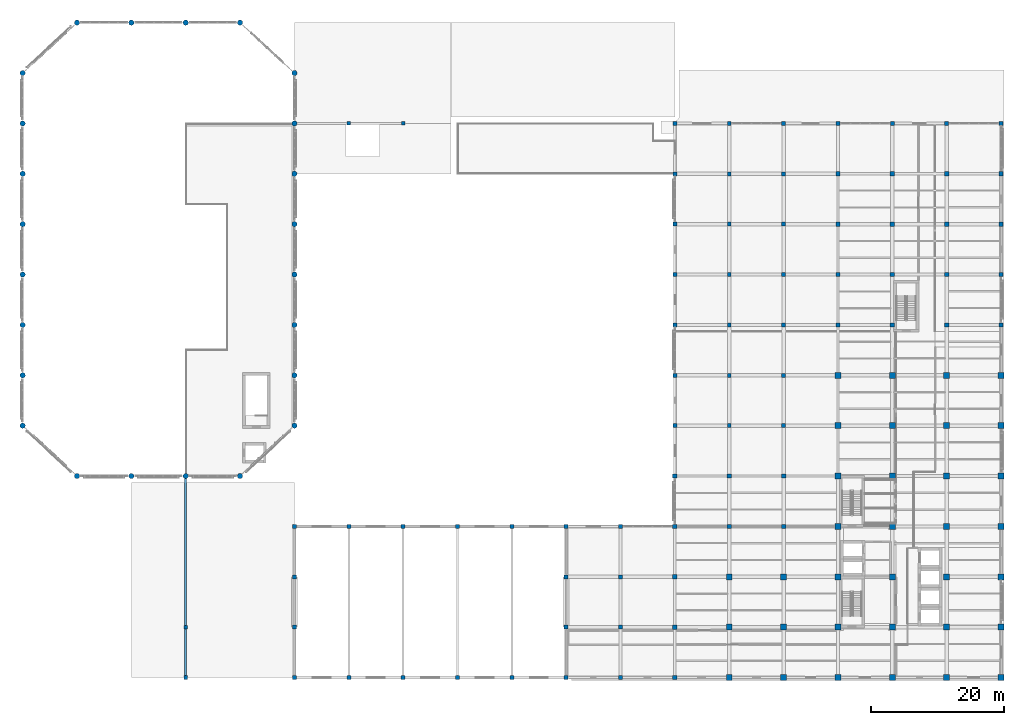
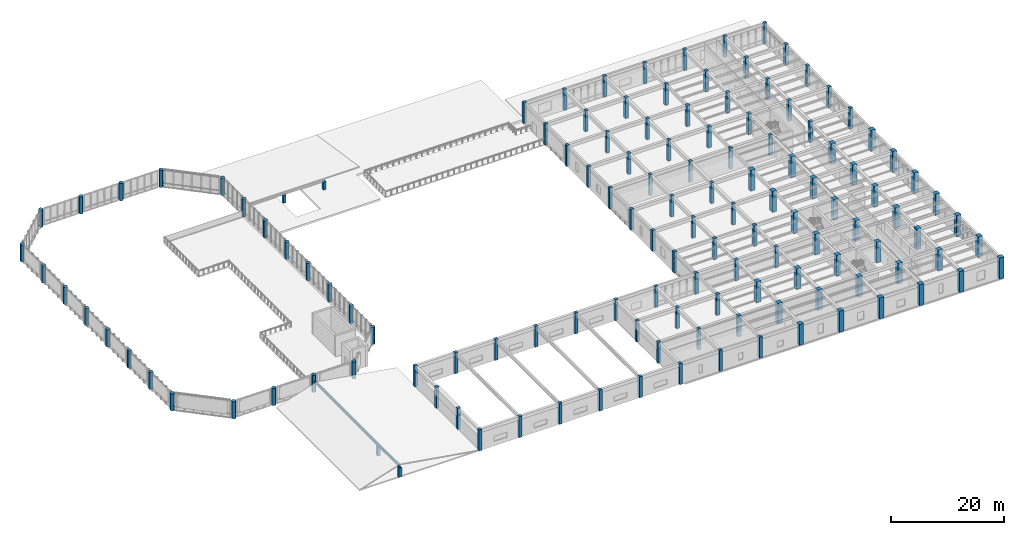
# One storey, part 1 of 49: 132 columns, 1 beam.
"""IFC4 building model written with IfcOpenShell, lengths in metres."""

from ifc_helpers import new_model, si_unit, direction, frame, origin, origin_2d, place, context, subcontext, project, spatial, rectangle, circle, i_section, extrude, material, material_profile, profile_set, type_object, element, save


model = new_model("IFC4")

# Units and contexts
model_context = context("Model", 3, precision=1e-05, world=origin(), true_north=direction((0.0, 1.0)))
body_context = subcontext(model_context, "Body", "Model", "MODEL_VIEW")
ifc_project = project(units=[si_unit("LENGTHUNIT", "METRE"), si_unit("AREAUNIT", "SQUARE_METRE"), si_unit("VOLUMEUNIT", "CUBIC_METRE"), si_unit("PLANEANGLEUNIT", "RADIAN"), si_unit("MASSUNIT", "GRAM", prefix="KILO")], contexts=[model_context])

# Site, building, storey
site_placement = place(None, origin())
site = spatial("IfcSite", under=ifc_project, at=site_placement, CompositionType="ELEMENT")
building_placement = place(site_placement, origin())
building = spatial("IfcBuilding", under=site, at=building_placement, Name="Qandaris Square Conservatory and Botanical Centre", CompositionType="ELEMENT")
storey_placement = place(building_placement, frame((0.0, 0.0, 10.199951171875)))
storey = spatial("IfcBuildingStorey", under=building, at=storey_placement, Name="L02", CompositionType="ELEMENT", Elevation=10.199951171875)

# Columns
ifc_material_1 = material(Name="Concrete C50/60", Category="concrete")
ifc_material_profile_1 = material_profile(ifc_material_1, circle(Radius=0.39990234375, at=origin_2d()), Name="RC-COL D800")
ifc_profile_set_1 = profile_set([ifc_material_profile_1], Name="Concrete C50/60")
column_type_1 = type_object("IfcColumnType", Name="Conservatory Ring Pier D800", PredefinedType="COLUMN", material=ifc_profile_set_1)
for number, where, z_axis, x_axis, name in (
    (1, (16.199951171875, 54.60009765625, 0.0), (0.0, 0.0, 1.0), (1.0, 0.0, 0.0), "Column G2 (L02)"),
    (2, (16.199951171875, 62.199951171875, 0.0), (0.0, 0.0, 1.0), (1.0, 0.0, 0.0), "Column H2 (L02)"),
    (3, (16.199951171875, 69.800048828125, 0.0), (0.0, 0.0, 1.0), (1.0, 0.0, 0.0), "Column J2 (L02)"),
    (4, (16.199951171875, 77.39990234375, 0.0), (0.0, 0.0, 1.0), (1.0, 0.0, 0.0), "Column K2 (L02)"),
    (5, (16.199951171875, 85.0, 0.0), (0.0, 0.0, 1.0), (1.0, 0.0, 0.0), "Column L2 (L02)"),
    (6, (16.199951171875, 92.60009765625, 0.0), (0.0, 0.0, 1.0), (1.0, 0.0, 0.0), "Column M2 (L02)"),
    (7, (16.199951171875, 100.199951171875, 0.0), (0.0, 0.0, 1.0), (1.0, 0.0, 0.0), "Column N2 (L02)"),
    (8, (16.199951171875, 107.800048828125, 0.0), (0.0, 0.0, 1.0), (1.0, 0.0, 0.0), "Column P2 (L02)"),
    (9, (24.39990234375, 47.0, 0.0), (0.0, 0.0, 1.0), (1.0, 0.0, 0.0), "Column F3 (L02)"),
    (10, (24.39990234375, 115.39990234375, 0.0), (0.0, 0.0, 1.0), (1.0, 0.0, 0.0), "Column Q3 (L02)"),
    (11, (32.60009765625, 47.0, 0.0), (0.0, 0.0, 1.0), (1.0, 0.0, 0.0), "Column F4 (L02)"),
    (12, (32.60009765625, 115.39990234375, 0.0), (0.0, 0.0, 1.0), (1.0, 0.0, 0.0), "Column Q4 (L02)"),
    (13, (40.800048828125, 47.0, 0.0), (0.0, 0.0, 1.0), (1.0, 0.0, 0.0), "Column F5 (L02)"),
    (14, (40.800048828125, 115.39990234375, 0.0), (0.0, 0.0, 1.0), (1.0, 0.0, 0.0), "Column Q5 (L02)"),
    (15, (49.0, 47.0, 0.0), (0.0, 0.0, 1.0), (1.0, 0.0, 0.0), "Column F6 (L02)"),
    (16, (49.0, 115.39990234375, 0.0), (0.0, 0.0, 1.0), (1.0, 0.0, 0.0), "Column Q6 (L02)"),
    (17, (57.199951171875, 54.60009765625, 0.0), (0.0, 0.0, 1.0), (1.0, 0.0, 0.0), "Column G7 (L02)"),
    (18, (57.199951171875, 62.199951171875, 0.0), (0.0, 0.0, 1.0), (1.0, 0.0, 0.0), "Column H7 (L02)"),
    (19, (57.199951171875, 69.800048828125, 0.0), (0.0, 0.0, 1.0), (1.0, 0.0, 0.0), "Column J7 (L02)"),
    (20, (57.199951171875, 77.39990234375, 0.0), (0.0, 0.0, 1.0), (1.0, 0.0, 0.0), "Column K7 (L02)"),
    (21, (57.199951171875, 85.0, 0.0), (0.0, 0.0, 1.0), (1.0, 0.0, 0.0), "Column L7 (L02)"),
    (22, (57.199951171875, 92.60009765625, 0.0), (0.0, 0.0, 1.0), (1.0, 0.0, 0.0), "Column M7 (L02)"),
    (23, (57.199951171875, 100.199951171875, 0.0), (0.0, 0.0, 1.0), (1.0, 0.0, 0.0), "Column N7 (L02)"),
    (24, (57.199951171875, 107.800048828125, 0.0), (0.0, 0.0, 1.0), (1.0, 0.0, 0.0), "Column P7 (L02)"),
):
    element("IfcColumn", number, at=place(storey_placement, frame(where, z_axis=z_axis, x_axis=x_axis)), inside=storey, type_object=column_type_1, Name=name, PredefinedType="COLUMN", context=body_context, shape_type="SweptSolid", body=[
        extrude(circle(Radius=0.39990234375, at=origin_2d()), origin(), (0.0, 0.0, 1.0), 3.699951171875),
    ])
ifc_material_2 = material(Name="Concrete C40/50", Category="concrete")
ifc_material_profile_2 = material_profile(ifc_material_2, rectangle(XDim=0.550048828125, YDim=0.550048828125, at=origin_2d()), Name="RC-COL 550x550")
ifc_profile_set_2 = profile_set([ifc_material_profile_2], Name="Concrete C40/50")
column_type_2 = type_object("IfcColumnType", Name="RC Column 550x550", PredefinedType="COLUMN", material=ifc_profile_set_2)
for number, where, z_axis, x_axis, name in (
    (25, (40.800048828125, 16.60009765625, 0.0), (0.0, 0.0, 1.0), (1.0, 0.0, 0.0), "Visitor Ridge Post B"),
    (26, (40.800048828125, 24.199951171875, 0.0), (0.0, 0.0, 1.0), (1.0, 0.0, 0.0), "Visitor Ridge Post C"),
):
    element("IfcColumn", number, at=place(storey_placement, frame(where, z_axis=z_axis, x_axis=x_axis)), inside=storey, type_object=column_type_2, Name=name, PredefinedType="COLUMN", context=body_context, shape_type="SweptSolid", body=[
        extrude(rectangle(XDim=0.550048828125, YDim=0.550048828125, at=origin_2d()), origin(), (0.0, 0.0, 1.0), 2.010009765625),
    ])
for number, where, z_axis, x_axis, name in (
    (27, (65.39990234375, 100.199951171875, 0.0), (0.0, 0.0, 1.0), (1.0, 0.0, 0.0), "North Pavilion Ridge Post 8"),
    (28, (73.60009765625, 100.199951171875, 0.0), (0.0, 0.0, 1.0), (1.0, 0.0, 0.0), "North Pavilion Ridge Post 9"),
):
    element("IfcColumn", number, at=place(storey_placement, frame(where, z_axis=z_axis, x_axis=x_axis)), inside=storey, type_object=column_type_2, Name=name, PredefinedType="COLUMN", context=body_context, shape_type="SweptSolid", body=[
        extrude(rectangle(XDim=0.550048828125, YDim=0.550048828125, at=origin_2d()), origin(), (0.0, 0.0, 1.0), 1.7099609375),
    ])
ifc_material_profile_3 = material_profile(ifc_material_2, rectangle(XDim=0.60009765625, YDim=0.60009765625, at=origin_2d()), Name="RC-COL 600x600")
ifc_profile_set_3 = profile_set([ifc_material_profile_3], Name="Concrete C40/50")
column_type_3 = type_object("IfcColumnType", Name="RC Column 600x600", PredefinedType="COLUMN", material=ifc_profile_set_3)
for number, where, z_axis, x_axis, name in (
    (29, (57.199951171875, 16.60009765625, 0.0), (0.0, 0.0, 1.0), (1.0, 0.0, 0.0), "Column B7 (L02)"),
    (30, (57.199951171875, 24.199951171875, 0.0), (0.0, 0.0, 1.0), (1.0, 0.0, 0.0), "Column C7 (L02)"),
    (31, (57.199951171875, 31.800048828125, 0.0), (0.0, 0.0, 1.0), (1.0, 0.0, 0.0), "Column D7 (L02)"),
    (32, (57.199951171875, 39.39990234375, 0.0), (0.0, 0.0, 1.0), (1.0, 0.0, 0.0), "Column E7 (L02)"),
    (33, (65.39990234375, 16.60009765625, 0.0), (0.0, 0.0, 1.0), (1.0, 0.0, 0.0), "Column B8 (L02)"),
    (34, (65.39990234375, 39.39990234375, 0.0), (0.0, 0.0, 1.0), (1.0, 0.0, 0.0), "Column E8 (L02)"),
    (35, (73.60009765625, 16.60009765625, 0.0), (0.0, 0.0, 1.0), (1.0, 0.0, 0.0), "Column B9 (L02)"),
    (36, (73.60009765625, 39.39990234375, 0.0), (0.0, 0.0, 1.0), (1.0, 0.0, 0.0), "Column E9 (L02)"),
    (37, (81.800048828125, 16.60009765625, 0.0), (0.0, 0.0, 1.0), (1.0, 0.0, 0.0), "Column B10 (L02)"),
    (38, (81.800048828125, 39.39990234375, 0.0), (0.0, 0.0, 1.0), (1.0, 0.0, 0.0), "Column E10 (L02)"),
    (39, (90.0, 16.60009765625, 0.0), (0.0, 0.0, 1.0), (1.0, 0.0, 0.0), "Column B11 (L02)"),
    (40, (90.0, 39.39990234375, 0.0), (0.0, 0.0, 1.0), (1.0, 0.0, 0.0), "Column E11 (L02)"),
    (41, (98.199951171875, 16.60009765625, 0.0), (0.0, 0.0, 1.0), (1.0, 0.0, 0.0), "Column B12 (L02)"),
    (42, (98.199951171875, 24.199951171875, 0.0), (0.0, 0.0, 1.0), (1.0, 0.0, 0.0), "Column C12 (L02)"),
    (43, (98.199951171875, 31.800048828125, 0.0), (0.0, 0.0, 1.0), (1.0, 0.0, 0.0), "Column D12 (L02)"),
    (44, (98.199951171875, 39.39990234375, 0.0), (0.0, 0.0, 1.0), (1.0, 0.0, 0.0), "Column E12 (L02)"),
    (45, (106.39990234375, 16.60009765625, 0.0), (0.0, 0.0, 1.0), (1.0, 0.0, 0.0), "Column B13 (L02)"),
    (46, (106.39990234375, 24.199951171875, 0.0), (0.0, 0.0, 1.0), (1.0, 0.0, 0.0), "Column C13 (L02)"),
    (47, (106.39990234375, 31.800048828125, 0.0), (0.0, 0.0, 1.0), (1.0, 0.0, 0.0), "Column D13 (L02)"),
    (48, (106.39990234375, 39.39990234375, 0.0), (0.0, 0.0, 1.0), (1.0, 0.0, 0.0), "Column E13 (L02)"),
    (49, (114.60009765625, 54.60009765625, 0.0), (0.0, 0.0, 1.0), (1.0, 0.0, 0.0), "Column G14 (L02)"),
    (50, (114.60009765625, 62.199951171875, 0.0), (0.0, 0.0, 1.0), (1.0, 0.0, 0.0), "Column H14 (L02)"),
    (51, (114.60009765625, 69.800048828125, 0.0), (0.0, 0.0, 1.0), (1.0, 0.0, 0.0), "Column J14 (L02)"),
    (52, (114.60009765625, 77.39990234375, 0.0), (0.0, 0.0, 1.0), (1.0, 0.0, 0.0), "Column K14 (L02)"),
    (53, (114.60009765625, 85.0, 0.0), (0.0, 0.0, 1.0), (1.0, 0.0, 0.0), "Column L14 (L02)"),
    (54, (114.60009765625, 92.60009765625, 0.0), (0.0, 0.0, 1.0), (1.0, 0.0, 0.0), "Column M14 (L02)"),
    (55, (114.60009765625, 100.199951171875, 0.0), (0.0, 0.0, 1.0), (1.0, 0.0, 0.0), "Column N14 (L02)"),
    (56, (122.800048828125, 54.60009765625, 0.0), (0.0, 0.0, 1.0), (1.0, 0.0, 0.0), "Column G15 (L02)"),
    (57, (122.800048828125, 62.199951171875, 0.0), (0.0, 0.0, 1.0), (1.0, 0.0, 0.0), "Column H15 (L02)"),
    (58, (122.800048828125, 69.800048828125, 0.0), (0.0, 0.0, 1.0), (1.0, 0.0, 0.0), "Column J15 (L02)"),
    (59, (122.800048828125, 77.39990234375, 0.0), (0.0, 0.0, 1.0), (1.0, 0.0, 0.0), "Column K15 (L02)"),
    (60, (122.800048828125, 85.0, 0.0), (0.0, 0.0, 1.0), (1.0, 0.0, 0.0), "Column L15 (L02)"),
    (61, (122.800048828125, 92.60009765625, 0.0), (0.0, 0.0, 1.0), (1.0, 0.0, 0.0), "Column M15 (L02)"),
    (62, (122.800048828125, 100.199951171875, 0.0), (0.0, 0.0, 1.0), (1.0, 0.0, 0.0), "Column N15 (L02)"),
    (63, (131.0, 54.60009765625, 0.0), (0.0, 0.0, 1.0), (1.0, 0.0, 0.0), "Column G16 (L02)"),
    (64, (131.0, 62.199951171875, 0.0), (0.0, 0.0, 1.0), (1.0, 0.0, 0.0), "Column H16 (L02)"),
    (65, (131.0, 69.800048828125, 0.0), (0.0, 0.0, 1.0), (1.0, 0.0, 0.0), "Column J16 (L02)"),
    (66, (131.0, 77.39990234375, 0.0), (0.0, 0.0, 1.0), (1.0, 0.0, 0.0), "Column K16 (L02)"),
    (67, (131.0, 85.0, 0.0), (0.0, 0.0, 1.0), (1.0, 0.0, 0.0), "Column L16 (L02)"),
    (68, (131.0, 92.60009765625, 0.0), (0.0, 0.0, 1.0), (1.0, 0.0, 0.0), "Column M16 (L02)"),
    (69, (131.0, 100.199951171875, 0.0), (0.0, 0.0, 1.0), (1.0, 0.0, 0.0), "Column N16 (L02)"),
    (70, (139.199951171875, 100.199951171875, 0.0), (0.0, 0.0, 1.0), (1.0, 0.0, 0.0), "Column N17 (L02)"),
    (71, (147.39990234375, 100.199951171875, 0.0), (0.0, 0.0, 1.0), (1.0, 0.0, 0.0), "Column N18 (L02)"),
    (72, (155.60009765625, 100.199951171875, 0.0), (0.0, 0.0, 1.0), (1.0, 0.0, 0.0), "Column N19 (L02)"),
    (73, (163.800048828125, 100.199951171875, 0.0), (0.0, 0.0, 1.0), (1.0, 0.0, 0.0), "Column N20 (L02)"),
):
    element("IfcColumn", number, at=place(storey_placement, frame(where, z_axis=z_axis, x_axis=x_axis)), inside=storey, type_object=column_type_3, Name=name, PredefinedType="COLUMN", context=body_context, shape_type="SweptSolid", body=[
        extrude(rectangle(XDim=0.60009765625, YDim=0.60009765625, at=origin_2d()), origin(), (0.0, 0.0, 1.0), 4.545166015625),
    ])
ifc_material_profile_4 = material_profile(ifc_material_1, rectangle(XDim=0.64990234375, YDim=0.64990234375, at=origin_2d()), Name="RC-COL 650x650")
ifc_profile_set_4 = profile_set([ifc_material_profile_4], Name="Concrete C50/60")
column_type_4 = type_object("IfcColumnType", Name="RC Column 650x650", PredefinedType="COLUMN", material=ifc_profile_set_4)
for number, where, z_axis, x_axis, name in (
    (74, (114.60009765625, 16.60009765625, 0.0), (0.0, 0.0, 1.0), (1.0, 0.0, 0.0), "Column B14 (L02)"),
    (75, (114.60009765625, 24.199951171875, 0.0), (0.0, 0.0, 1.0), (1.0, 0.0, 0.0), "Column C14 (L02)"),
    (76, (114.60009765625, 31.800048828125, 0.0), (0.0, 0.0, 1.0), (1.0, 0.0, 0.0), "Column D14 (L02)"),
    (77, (114.60009765625, 39.39990234375, 0.0), (0.0, 0.0, 1.0), (1.0, 0.0, 0.0), "Column E14 (L02)"),
    (78, (114.60009765625, 47.0, 0.0), (0.0, 0.0, 1.0), (1.0, 0.0, 0.0), "Column F14 (L02)"),
):
    element("IfcColumn", number, at=place(storey_placement, frame(where, z_axis=z_axis, x_axis=x_axis)), inside=storey, type_object=column_type_4, Name=name, PredefinedType="COLUMN", context=body_context, shape_type="SweptSolid", body=[
        extrude(rectangle(XDim=0.64990234375, YDim=0.64990234375, at=origin_2d()), origin(), (0.0, 0.0, 1.0), 4.545166015625),
    ])
column_1_placement = place(storey_placement, frame((122.800048828125, 39.39990234375, 0.0), z_axis=(0.0, 0.0, 1.0), x_axis=(1.0, 0.0, 0.0)))
element("IfcColumn", 79, at=column_1_placement, inside=storey, type_object=column_type_4, Name="Column E15 (L02)", PredefinedType="COLUMN", context=body_context, shape_type="SweptSolid", body=[
    extrude(rectangle(XDim=0.64990234375, YDim=0.64990234375, at=origin_2d()), origin(), (0.0, 0.0, 1.0), 4.510009765625),
])
column_2_placement = place(storey_placement, frame((122.800048828125, 47.0, 0.0), z_axis=(0.0, 0.0, 1.0), x_axis=(1.0, 0.0, 0.0)))
element("IfcColumn", 80, at=column_2_placement, inside=storey, type_object=column_type_4, Name="Column F15 (L02)", PredefinedType="COLUMN", context=body_context, shape_type="SweptSolid", body=[
    extrude(rectangle(XDim=0.64990234375, YDim=0.64990234375, at=origin_2d()), origin(), (0.0, 0.0, 1.0), 4.545166015625),
])
column_3_placement = place(storey_placement, frame((131.0, 39.39990234375, 0.0), z_axis=(0.0, 0.0, 1.0), x_axis=(1.0, 0.0, 0.0)))
element("IfcColumn", 81, at=column_3_placement, inside=storey, type_object=column_type_4, Name="Column E16 (L02)", PredefinedType="COLUMN", context=body_context, shape_type="SweptSolid", body=[
    extrude(rectangle(XDim=0.64990234375, YDim=0.64990234375, at=origin_2d()), origin(), (0.0, 0.0, 1.0), 4.510009765625),
])
for number, where, z_axis, x_axis, name in (
    (82, (131.0, 47.0, 0.0), (0.0, 0.0, 1.0), (1.0, 0.0, 0.0), "Column F16 (L02)"),
    (83, (139.199951171875, 69.800048828125, 0.0), (0.0, 0.0, 1.0), (1.0, 0.0, 0.0), "Column J17 (L02)"),
    (84, (139.199951171875, 77.39990234375, 0.0), (0.0, 0.0, 1.0), (1.0, 0.0, 0.0), "Column K17 (L02)"),
    (85, (139.199951171875, 85.0, 0.0), (0.0, 0.0, 1.0), (1.0, 0.0, 0.0), "Column L17 (L02)"),
    (86, (139.199951171875, 92.60009765625, 0.0), (0.0, 0.0, 1.0), (1.0, 0.0, 0.0), "Column M17 (L02)"),
):
    element("IfcColumn", number, at=place(storey_placement, frame(where, z_axis=z_axis, x_axis=x_axis)), inside=storey, type_object=column_type_4, Name=name, PredefinedType="COLUMN", context=body_context, shape_type="SweptSolid", body=[
        extrude(rectangle(XDim=0.64990234375, YDim=0.64990234375, at=origin_2d()), origin(), (0.0, 0.0, 1.0), 4.545166015625),
    ])
for number, where, z_axis, x_axis, name in (
    (87, (147.39990234375, 69.800048828125, 0.0), (0.0, 0.0, 1.0), (1.0, 0.0, 0.0), "Column J18 (L02)"),
    (88, (147.39990234375, 77.39990234375, 0.0), (0.0, 0.0, 1.0), (1.0, 0.0, 0.0), "Column K18 (L02)"),
    (89, (147.39990234375, 85.0, 0.0), (0.0, 0.0, 1.0), (1.0, 0.0, 0.0), "Column L18 (L02)"),
):
    element("IfcColumn", number, at=place(storey_placement, frame(where, z_axis=z_axis, x_axis=x_axis)), inside=storey, type_object=column_type_4, Name=name, PredefinedType="COLUMN", context=body_context, shape_type="SweptSolid", body=[
        extrude(rectangle(XDim=0.64990234375, YDim=0.64990234375, at=origin_2d()), origin(), (0.0, 0.0, 1.0), 4.510009765625),
    ])
column_4_placement = place(storey_placement, frame((147.39990234375, 92.60009765625, 0.0), z_axis=(0.0, 0.0, 1.0), x_axis=(1.0, 0.0, 0.0)))
element("IfcColumn", 90, at=column_4_placement, inside=storey, type_object=column_type_4, Name="Column M18 (L02)", PredefinedType="COLUMN", context=body_context, shape_type="SweptSolid", body=[
    extrude(rectangle(XDim=0.64990234375, YDim=0.64990234375, at=origin_2d()), origin(), (0.0, 0.0, 1.0), 4.545166015625),
])
for number, where, z_axis, x_axis, name in (
    (91, (155.60009765625, 69.800048828125, 0.0), (0.0, 0.0, 1.0), (1.0, 0.0, 0.0), "Column J19 (L02)"),
    (92, (155.60009765625, 77.39990234375, 0.0), (0.0, 0.0, 1.0), (1.0, 0.0, 0.0), "Column K19 (L02)"),
    (93, (155.60009765625, 85.0, 0.0), (0.0, 0.0, 1.0), (1.0, 0.0, 0.0), "Column L19 (L02)"),
):
    element("IfcColumn", number, at=place(storey_placement, frame(where, z_axis=z_axis, x_axis=x_axis)), inside=storey, type_object=column_type_4, Name=name, PredefinedType="COLUMN", context=body_context, shape_type="SweptSolid", body=[
        extrude(rectangle(XDim=0.64990234375, YDim=0.64990234375, at=origin_2d()), origin(), (0.0, 0.0, 1.0), 4.510009765625),
    ])
for number, where, z_axis, x_axis, name in (
    (94, (155.60009765625, 92.60009765625, 0.0), (0.0, 0.0, 1.0), (1.0, 0.0, 0.0), "Column M19 (L02)"),
    (95, (163.800048828125, 69.800048828125, 0.0), (0.0, 0.0, 1.0), (1.0, 0.0, 0.0), "Column J20 (L02)"),
    (96, (163.800048828125, 77.39990234375, 0.0), (0.0, 0.0, 1.0), (1.0, 0.0, 0.0), "Column K20 (L02)"),
    (97, (163.800048828125, 85.0, 0.0), (0.0, 0.0, 1.0), (1.0, 0.0, 0.0), "Column L20 (L02)"),
    (98, (163.800048828125, 92.60009765625, 0.0), (0.0, 0.0, 1.0), (1.0, 0.0, 0.0), "Column M20 (L02)"),
):
    element("IfcColumn", number, at=place(storey_placement, frame(where, z_axis=z_axis, x_axis=x_axis)), inside=storey, type_object=column_type_4, Name=name, PredefinedType="COLUMN", context=body_context, shape_type="SweptSolid", body=[
        extrude(rectangle(XDim=0.64990234375, YDim=0.64990234375, at=origin_2d()), origin(), (0.0, 0.0, 1.0), 4.545166015625),
    ])
ifc_material_profile_5 = material_profile(ifc_material_1, rectangle(XDim=0.89990234375, YDim=0.89990234375, at=origin_2d()), Name="RC-COL 900x900")
ifc_profile_set_5 = profile_set([ifc_material_profile_5], Name="Concrete C50/60")
column_type_5 = type_object("IfcColumnType", Name="RC Column 900x900", PredefinedType="COLUMN", material=ifc_profile_set_5)
column_5_placement = place(storey_placement, frame((122.800048828125, 16.60009765625, 0.0), z_axis=(0.0, 0.0, 1.0), x_axis=(1.0, 0.0, 0.0)))
element("IfcColumn", 99, at=column_5_placement, inside=storey, type_object=column_type_5, Name="Column B15 (L02)", PredefinedType="COLUMN", context=body_context, shape_type="SweptSolid", body=[
    extrude(rectangle(XDim=0.89990234375, YDim=0.89990234375, at=origin_2d()), origin(), (0.0, 0.0, 1.0), 4.545166015625),
])
for number, where, z_axis, x_axis, name in (
    (100, (122.800048828125, 24.199951171875, 0.0), (0.0, 0.0, 1.0), (1.0, 0.0, 0.0), "Column C15 (L02)"),
    (101, (122.800048828125, 31.800048828125, 0.0), (0.0, 0.0, 1.0), (1.0, 0.0, 0.0), "Column D15 (L02)"),
):
    element("IfcColumn", number, at=place(storey_placement, frame(where, z_axis=z_axis, x_axis=x_axis)), inside=storey, type_object=column_type_5, Name=name, PredefinedType="COLUMN", context=body_context, shape_type="SweptSolid", body=[
        extrude(rectangle(XDim=0.89990234375, YDim=0.89990234375, at=origin_2d()), origin(), (0.0, 0.0, 1.0), 4.510009765625),
    ])
column_6_placement = place(storey_placement, frame((131.0, 16.60009765625, 0.0), z_axis=(0.0, 0.0, 1.0), x_axis=(1.0, 0.0, 0.0)))
element("IfcColumn", 102, at=column_6_placement, inside=storey, type_object=column_type_5, Name="Column B16 (L02)", PredefinedType="COLUMN", context=body_context, shape_type="SweptSolid", body=[
    extrude(rectangle(XDim=0.89990234375, YDim=0.89990234375, at=origin_2d()), origin(), (0.0, 0.0, 1.0), 4.545166015625),
])
for number, where, z_axis, x_axis, name in (
    (103, (131.0, 24.199951171875, 0.0), (0.0, 0.0, 1.0), (1.0, 0.0, 0.0), "Column C16 (L02)"),
    (104, (131.0, 31.800048828125, 0.0), (0.0, 0.0, 1.0), (1.0, 0.0, 0.0), "Column D16 (L02)"),
):
    element("IfcColumn", number, at=place(storey_placement, frame(where, z_axis=z_axis, x_axis=x_axis)), inside=storey, type_object=column_type_5, Name=name, PredefinedType="COLUMN", context=body_context, shape_type="SweptSolid", body=[
        extrude(rectangle(XDim=0.89990234375, YDim=0.89990234375, at=origin_2d()), origin(), (0.0, 0.0, 1.0), 4.510009765625),
    ])
column_7_placement = place(storey_placement, frame((139.199951171875, 16.60009765625, 0.0), z_axis=(0.0, 0.0, 1.0), x_axis=(1.0, 0.0, 0.0)))
element("IfcColumn", 105, at=column_7_placement, inside=storey, type_object=column_type_5, Name="Column B17 (L02)", PredefinedType="COLUMN", context=body_context, shape_type="SweptSolid", body=[
    extrude(rectangle(XDim=0.89990234375, YDim=0.89990234375, at=origin_2d()), origin(), (0.0, 0.0, 1.0), 4.545166015625),
])
for number, where, z_axis, x_axis, name in (
    (106, (139.199951171875, 24.199951171875, 0.0), (0.0, 0.0, 1.0), (1.0, 0.0, 0.0), "Column C17 (L02)"),
    (107, (139.199951171875, 31.800048828125, 0.0), (0.0, 0.0, 1.0), (1.0, 0.0, 0.0), "Column D17 (L02)"),
    (108, (139.199951171875, 39.39990234375, 0.0), (0.0, 0.0, 1.0), (1.0, 0.0, 0.0), "Column E17 (L02)"),
    (109, (139.199951171875, 47.0, 0.0), (0.0, 0.0, 1.0), (1.0, 0.0, 0.0), "Column F17 (L02)"),
):
    element("IfcColumn", number, at=place(storey_placement, frame(where, z_axis=z_axis, x_axis=x_axis)), inside=storey, type_object=column_type_5, Name=name, PredefinedType="COLUMN", context=body_context, shape_type="SweptSolid", body=[
        extrude(rectangle(XDim=0.89990234375, YDim=0.89990234375, at=origin_2d()), origin(), (0.0, 0.0, 1.0), 4.510009765625),
    ])
for number, where, z_axis, x_axis, name in (
    (110, (139.199951171875, 54.60009765625, 0.0), (0.0, 0.0, 1.0), (1.0, 0.0, 0.0), "Column G17 (L02)"),
    (111, (139.199951171875, 62.199951171875, 0.0), (0.0, 0.0, 1.0), (1.0, 0.0, 0.0), "Column H17 (L02)"),
    (112, (147.39990234375, 16.60009765625, 0.0), (0.0, 0.0, 1.0), (1.0, 0.0, 0.0), "Column B18 (L02)"),
):
    element("IfcColumn", number, at=place(storey_placement, frame(where, z_axis=z_axis, x_axis=x_axis)), inside=storey, type_object=column_type_5, Name=name, PredefinedType="COLUMN", context=body_context, shape_type="SweptSolid", body=[
        extrude(rectangle(XDim=0.89990234375, YDim=0.89990234375, at=origin_2d()), origin(), (0.0, 0.0, 1.0), 4.545166015625),
    ])
for number, where, z_axis, x_axis, name in (
    (113, (147.39990234375, 24.199951171875, 0.0), (0.0, 0.0, 1.0), (1.0, 0.0, 0.0), "Column C18 (L02)"),
    (114, (147.39990234375, 31.800048828125, 0.0), (0.0, 0.0, 1.0), (1.0, 0.0, 0.0), "Column D18 (L02)"),
    (115, (147.39990234375, 39.39990234375, 0.0), (0.0, 0.0, 1.0), (1.0, 0.0, 0.0), "Column E18 (L02)"),
    (116, (147.39990234375, 47.0, 0.0), (0.0, 0.0, 1.0), (1.0, 0.0, 0.0), "Column F18 (L02)"),
    (117, (147.39990234375, 54.60009765625, 0.0), (0.0, 0.0, 1.0), (1.0, 0.0, 0.0), "Column G18 (L02)"),
    (118, (147.39990234375, 62.199951171875, 0.0), (0.0, 0.0, 1.0), (1.0, 0.0, 0.0), "Column H18 (L02)"),
):
    element("IfcColumn", number, at=place(storey_placement, frame(where, z_axis=z_axis, x_axis=x_axis)), inside=storey, type_object=column_type_5, Name=name, PredefinedType="COLUMN", context=body_context, shape_type="SweptSolid", body=[
        extrude(rectangle(XDim=0.89990234375, YDim=0.89990234375, at=origin_2d()), origin(), (0.0, 0.0, 1.0), 4.510009765625),
    ])
column_8_placement = place(storey_placement, frame((155.60009765625, 16.60009765625, 0.0), z_axis=(0.0, 0.0, 1.0), x_axis=(1.0, 0.0, 0.0)))
element("IfcColumn", 119, at=column_8_placement, inside=storey, type_object=column_type_5, Name="Column B19 (L02)", PredefinedType="COLUMN", context=body_context, shape_type="SweptSolid", body=[
    extrude(rectangle(XDim=0.89990234375, YDim=0.89990234375, at=origin_2d()), origin(), (0.0, 0.0, 1.0), 4.545166015625),
])
for number, where, z_axis, x_axis, name in (
    (120, (155.60009765625, 24.199951171875, 0.0), (0.0, 0.0, 1.0), (1.0, 0.0, 0.0), "Column C19 (L02)"),
    (121, (155.60009765625, 31.800048828125, 0.0), (0.0, 0.0, 1.0), (1.0, 0.0, 0.0), "Column D19 (L02)"),
    (122, (155.60009765625, 39.39990234375, 0.0), (0.0, 0.0, 1.0), (1.0, 0.0, 0.0), "Column E19 (L02)"),
    (123, (155.60009765625, 47.0, 0.0), (0.0, 0.0, 1.0), (1.0, 0.0, 0.0), "Column F19 (L02)"),
    (124, (155.60009765625, 54.60009765625, 0.0), (0.0, 0.0, 1.0), (1.0, 0.0, 0.0), "Column G19 (L02)"),
    (125, (155.60009765625, 62.199951171875, 0.0), (0.0, 0.0, 1.0), (1.0, 0.0, 0.0), "Column H19 (L02)"),
):
    element("IfcColumn", number, at=place(storey_placement, frame(where, z_axis=z_axis, x_axis=x_axis)), inside=storey, type_object=column_type_5, Name=name, PredefinedType="COLUMN", context=body_context, shape_type="SweptSolid", body=[
        extrude(rectangle(XDim=0.89990234375, YDim=0.89990234375, at=origin_2d()), origin(), (0.0, 0.0, 1.0), 4.510009765625),
    ])
for number, where, z_axis, x_axis, name in (
    (126, (163.800048828125, 16.60009765625, 0.0), (0.0, 0.0, 1.0), (1.0, 0.0, 0.0), "Column B20 (L02)"),
    (127, (163.800048828125, 24.199951171875, 0.0), (0.0, 0.0, 1.0), (1.0, 0.0, 0.0), "Column C20 (L02)"),
    (128, (163.800048828125, 31.800048828125, 0.0), (0.0, 0.0, 1.0), (1.0, 0.0, 0.0), "Column D20 (L02)"),
    (129, (163.800048828125, 39.39990234375, 0.0), (0.0, 0.0, 1.0), (1.0, 0.0, 0.0), "Column E20 (L02)"),
    (130, (163.800048828125, 47.0, 0.0), (0.0, 0.0, 1.0), (1.0, 0.0, 0.0), "Column F20 (L02)"),
    (131, (163.800048828125, 54.60009765625, 0.0), (0.0, 0.0, 1.0), (1.0, 0.0, 0.0), "Column G20 (L02)"),
    (132, (163.800048828125, 62.199951171875, 0.0), (0.0, 0.0, 1.0), (1.0, 0.0, 0.0), "Column H20 (L02)"),
):
    element("IfcColumn", number, at=place(storey_placement, frame(where, z_axis=z_axis, x_axis=x_axis)), inside=storey, type_object=column_type_5, Name=name, PredefinedType="COLUMN", context=body_context, shape_type="SweptSolid", body=[
        extrude(rectangle(XDim=0.89990234375, YDim=0.89990234375, at=origin_2d()), origin(), (0.0, 0.0, 1.0), 4.545166015625),
    ])

# Beam
ifc_material_3 = material(Name="Steel S355", Category="steel")
ifc_material_profile_6 = material_profile(ifc_material_3, i_section(OverallWidth=0.300048828125, OverallDepth=0.43994140625, WebThickness=0.011474609375, FlangeThickness=0.02099609375, FilletRadius=0.027099609375, at=origin_2d()), Name="HEA 450")
ifc_profile_set_6 = profile_set([ifc_material_profile_6], Name="Steel S355")
beam_type = type_object("IfcBeamType", Name="Pavilion Ridge Girder HEA 450", PredefinedType="BEAM", material=ifc_profile_set_6)
beam_placement = place(storey_placement, frame((40.800048828125, 16.60009765625, 2.22998046875), z_axis=(0.0, 1.0, 0.0), x_axis=(-1.0, 0.0, 0.0)))
element("IfcBeam", 133, at=beam_placement, inside=storey, type_object=beam_type, Name="Visitor Wing Ridge Girder", PredefinedType="BEAM", context=body_context, shape_type="SweptSolid", body=[
    extrude(i_section(OverallWidth=0.300048828125, OverallDepth=0.43994140625, WebThickness=0.011474609375, FlangeThickness=0.02099609375, FilletRadius=0.027099609375, at=origin_2d()), origin(), (0.0, 0.0, 1.0), 30.39990234375),
])

save(model, "model.ifc")
